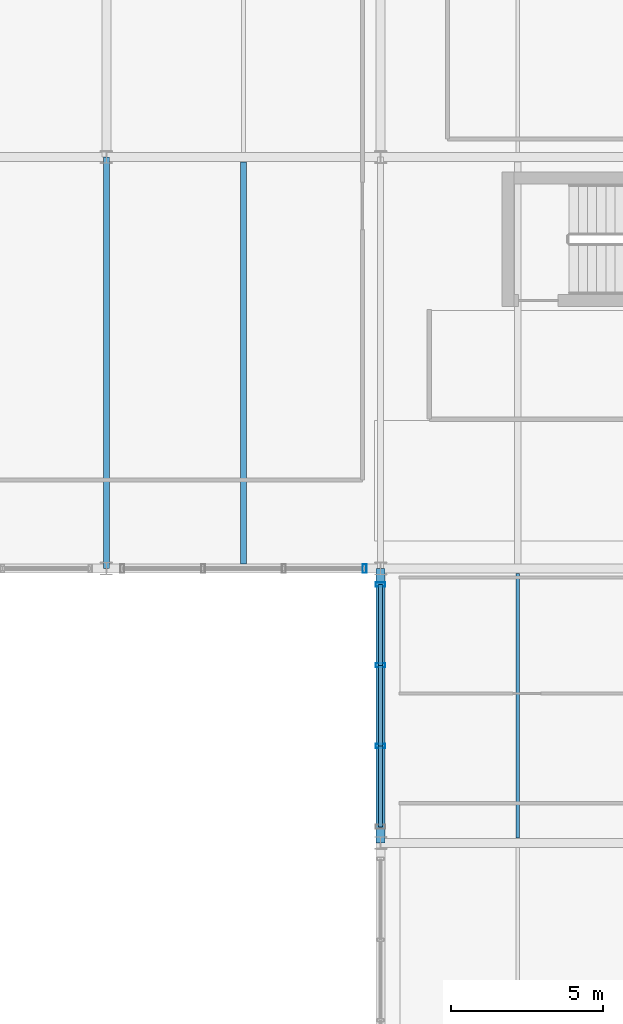
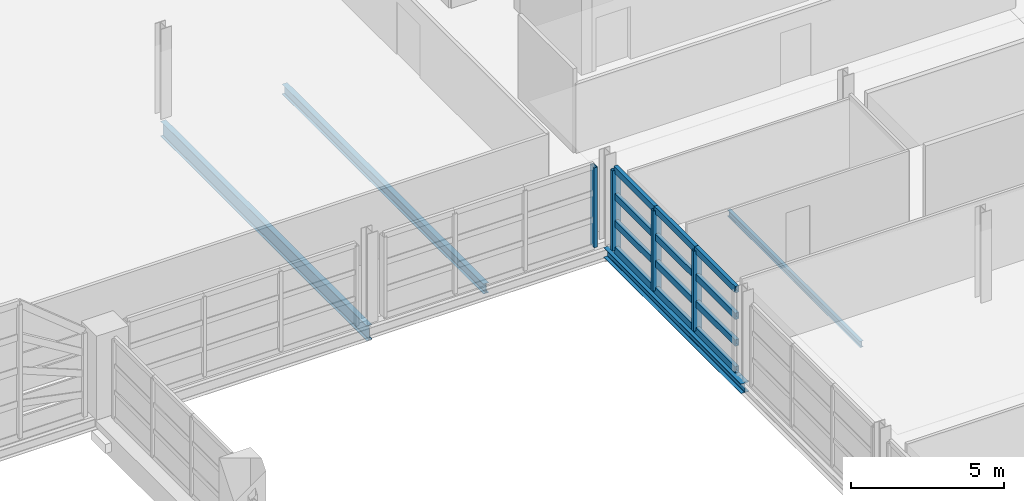
# One storey, part 75 of 116: 16 members, 4 beams, 2 elements without a shape of their own.
"""IFC4 building model written with IfcOpenShell, lengths in metres."""

from ifc_helpers import new_model, si_unit, direction, frame, origin, origin_2d, place, context, subcontext, project, spatial, hollow_rectangle, i_section, extrude, material, material_profile, profile_set, type_object, element, aggregate, save


model = new_model("IFC4")

# Units and contexts
model_context = context("Model", 3, precision=1e-05, world=origin(), true_north=direction((0.0, 1.0)))
body_context = subcontext(model_context, "Body", "Model", "MODEL_VIEW")
ifc_project = project(units=[si_unit("LENGTHUNIT", "METRE"), si_unit("AREAUNIT", "SQUARE_METRE"), si_unit("VOLUMEUNIT", "CUBIC_METRE"), si_unit("PLANEANGLEUNIT", "RADIAN"), si_unit("MASSUNIT", "GRAM", prefix="KILO")], contexts=[model_context])

# Site, building, storey
site_placement = place(None, origin())
site = spatial("IfcSite", under=ifc_project, at=site_placement, CompositionType="ELEMENT")
building_placement = place(site_placement, origin())
building = spatial("IfcBuilding", under=site, at=building_placement, Name="Chuanluo Vaults Station", CompositionType="ELEMENT")
storey_placement = place(building_placement, frame((0.0, 0.0, 10.800048828125)))
storey = spatial("IfcBuildingStorey", under=building, at=storey_placement, Name="L02", CompositionType="ELEMENT", Elevation=10.800048828125)

# Beams
ifc_material_1 = material(Name="Steel Q355C", Category="steel")
ifc_material_profile_1 = material_profile(ifc_material_1, i_section(OverallWidth=0.300048828125, OverallDepth=0.389892578125, WebThickness=0.010009765625, FlangeThickness=0.01611328125, FilletRadius=0.02001953125, at=origin_2d()))
ifc_profile_set_1 = profile_set([ifc_material_profile_1], Name="Steel Q355C")
beam_type_1 = type_object("IfcBeamType", Name="BM-GRD-400", PredefinedType="BEAM", material=ifc_profile_set_1)
beam_1_placement = place(storey_placement, frame((145.0, 94.5, -0.4150390625), z_axis=(0.0, 1.0, 0.0), x_axis=(-1.0, 0.0, 0.0)))
element("IfcBeam", 1, at=beam_1_placement, inside=storey, type_object=beam_type_1, Name="Floor girder BM:GY:L02:0649", PredefinedType="BEAM", context=body_context, shape_type="SweptSolid", body=[
    extrude(i_section(OverallWidth=0.300048828125, OverallDepth=0.389892578125, WebThickness=0.010009765625, FlangeThickness=0.01611328125, FilletRadius=0.02001953125, at=origin_2d()), origin(), (0.0, 0.0, 1.0), 9.0),
])
ifc_material_2 = material(Name="Steel Q355C", Category="steel")
ifc_material_profile_2 = material_profile(ifc_material_2, i_section(OverallWidth=0.199951171875, OverallDepth=0.60009765625, WebThickness=0.010986328125, FlangeThickness=0.01708984375, FilletRadius=0.01806640625, at=origin_2d()))
ifc_profile_set_2 = profile_set([ifc_material_profile_2], Name="Steel Q355C")
beam_type_2 = type_object("IfcBeamType", Name="BM-GRD-600", PredefinedType="USERDEFINED", material=ifc_profile_set_2)
beam_2_placement = place(storey_placement, frame((136.0, 103.5, -0.52001953125), z_axis=(0.0, 1.0, 0.0), x_axis=(-1.0, 0.0, 0.0)))
element("IfcBeam", 2, at=beam_2_placement, inside=storey, type_object=beam_type_2, Name="Floor girder BM:GY:L02:0639", ObjectType="GIRDER", PredefinedType="USERDEFINED", context=body_context, shape_type="SweptSolid", body=[
    extrude(i_section(OverallWidth=0.199951171875, OverallDepth=0.60009765625, WebThickness=0.010986328125, FlangeThickness=0.01708984375, FilletRadius=0.01806640625, at=origin_2d()), origin(), (0.0, 0.0, 1.0), 13.5),
])
ifc_material_3 = material(Name="Steel Q355C", Category="steel")
ifc_material_profile_3 = material_profile(ifc_material_3, i_section(OverallWidth=0.125, OverallDepth=0.25, WebThickness=0.006103515625, FlangeThickness=0.009033203125, FilletRadius=0.011962890625, at=origin_2d()))
ifc_profile_set_3 = profile_set([ifc_material_profile_3], Name="Steel Q355C")
beam_type_3 = type_object("IfcBeamType", Name="BM-SEC-250", PredefinedType="JOIST", material=ifc_profile_set_3)
beam_3_placement = place(storey_placement, frame((149.5, 94.655029296875, -0.344970703125), z_axis=(0.0, 1.0, 0.0), x_axis=(-1.0, 0.0, 0.0)))
element("IfcBeam", 3, at=beam_3_placement, inside=storey, type_object=beam_type_3, Name="Composite secondary joist 0206", PredefinedType="JOIST", context=body_context, shape_type="SweptSolid", body=[
    extrude(i_section(OverallWidth=0.125, OverallDepth=0.25, WebThickness=0.006103515625, FlangeThickness=0.009033203125, FilletRadius=0.011962890625, at=origin_2d()), origin(), (0.0, 0.0, 1.0), 8.68994140625),
])
ifc_material_4 = material(Name="Steel Q355C", Category="steel")
ifc_material_profile_4 = material_profile(ifc_material_4, i_section(OverallWidth=0.199951171875, OverallDepth=0.39990234375, WebThickness=0.008056640625, FlangeThickness=0.012939453125, FilletRadius=0.01611328125, at=origin_2d()))
ifc_profile_set_4 = profile_set([ifc_material_profile_4], Name="Steel Q355C")
beam_type_4 = type_object("IfcBeamType", Name="BM-SEC-400", PredefinedType="BEAM", material=ifc_profile_set_4)
beam_4_placement = place(storey_placement, frame((140.5, 103.655029296875, -0.420166015625), z_axis=(0.0, 1.0, 0.0), x_axis=(-1.0, 0.0, 0.0)))
element("IfcBeam", 4, at=beam_4_placement, inside=storey, type_object=beam_type_4, Name="Composite secondary joist 0197", PredefinedType="BEAM", context=body_context, shape_type="SweptSolid", body=[
    extrude(i_section(OverallWidth=0.199951171875, OverallDepth=0.39990234375, WebThickness=0.008056640625, FlangeThickness=0.012939453125, FilletRadius=0.01611328125, at=origin_2d()), origin(), (0.0, 0.0, 1.0), 13.18994140625),
])

# Curtain wall, member
ifc_material_5 = material(Name="Anodised aluminium 6063-T6", Category="aluminium")
curtain_wall_type_1 = type_object("IfcCurtainWallType", Name="CW-SYS-06", PredefinedType="NOTDEFINED", material=ifc_material_5)
curtain_wall_1_placement = place(storey_placement, origin())
curtain_wall_1 = element("IfcCurtainWall", 5, at=curtain_wall_1_placement, inside=storey, type_object=curtain_wall_type_1, Name="Operations L02 facade CW part 1", PredefinedType="NOTDEFINED")
ifc_material_6 = material(Name="Anodised aluminium 6063-T6", Category="aluminium")
ifc_material_profile_5 = material_profile(ifc_material_6, hollow_rectangle(XDim=0.1298828125, YDim=0.280029296875, WallThickness=0.007080078125, at=origin_2d()))
ifc_profile_set_5 = profile_set([ifc_material_profile_5], Name="Anodised aluminium 6063-T6")
member_type_1 = type_object("IfcMemberType", Name="CWM-180", PredefinedType="MULLION", material=ifc_profile_set_5)
member_1_placement = place(storey_placement, frame((144.47509765625, 103.5, 0.0), z_axis=(0.0, 0.0, 1.0), x_axis=(-1.0, 0.0, 0.0)))
member_1 = element("IfcMember", 6, at=member_1_placement, type_object=member_type_1, Name="Operations L02 facade CW part 1 mullion 1", PredefinedType="MULLION", context=body_context, shape_type="SweptSolid", body=[
    extrude(hollow_rectangle(XDim=0.1298828125, YDim=0.280029296875, WallThickness=0.007080078125, at=origin_2d()), origin(), (0.0, 0.0, 1.0), 3.199951171875),
])
aggregate(curtain_wall_1, [member_1])

# Curtain wall, members
ifc_material_7 = material(Name="Anodised aluminium 6063-T6", Category="aluminium")
curtain_wall_type_2 = type_object("IfcCurtainWallType", Name="CW-SYS-05", PredefinedType="NOTDEFINED", material=ifc_material_7)
curtain_wall_2_placement = place(storey_placement, origin())
curtain_wall_2 = element("IfcCurtainWall", 7, at=curtain_wall_2_placement, inside=storey, type_object=curtain_wall_type_2, Name="Operations L02 facade CW", PredefinedType="NOTDEFINED")
ifc_material_8 = material(Name="Anodised aluminium 6063-T6", Category="aluminium")
ifc_material_profile_6 = material_profile(ifc_material_8, hollow_rectangle(XDim=0.139892578125, YDim=0.320068359375, WallThickness=0.008056640625, at=origin_2d()))
ifc_profile_set_6 = profile_set([ifc_material_profile_6], Name="Anodised aluminium 6063-T6")
member_type_2 = type_object("IfcMemberType", Name="CWM-220", PredefinedType="MULLION", material=ifc_profile_set_6)
member_2_placement = place(storey_placement, frame((145.0, 97.675048828125, 0.0), z_axis=(0.0, 0.0, 1.0), x_axis=(0.0, 1.0, 0.0)))
member_2 = element("IfcMember", 8, at=member_2_placement, type_object=member_type_2, Name="Operations L02 facade CW mullion 2", PredefinedType="MULLION", context=body_context, shape_type="SweptSolid", body=[
    extrude(hollow_rectangle(XDim=0.139892578125, YDim=0.320068359375, WallThickness=0.008056640625, at=origin_2d()), origin(), (0.0, 0.0, 1.0), 3.199951171875),
])
member_3_placement = place(storey_placement, frame((145.0, 100.324951171875, 0.0), z_axis=(0.0, 0.0, 1.0), x_axis=(0.0, 1.0, 0.0)))
member_3 = element("IfcMember", 9, at=member_3_placement, type_object=member_type_2, Name="Operations L02 facade CW mullion 3", PredefinedType="MULLION", context=body_context, shape_type="SweptSolid", body=[
    extrude(hollow_rectangle(XDim=0.139892578125, YDim=0.320068359375, WallThickness=0.008056640625, at=origin_2d()), origin(), (0.0, 0.0, 1.0), 3.199951171875),
])
member_4_placement = place(storey_placement, frame((145.0, 102.97509765625, 0.0), z_axis=(0.0, 0.0, 1.0), x_axis=(0.0, 1.0, 0.0)))
member_4 = element("IfcMember", 10, at=member_4_placement, type_object=member_type_2, Name="Operations L02 facade CW mullion 4", PredefinedType="MULLION", context=body_context, shape_type="SweptSolid", body=[
    extrude(hollow_rectangle(XDim=0.139892578125, YDim=0.320068359375, WallThickness=0.008056640625, at=origin_2d()), origin(), (0.0, 0.0, 1.0), 3.199951171875),
])
ifc_material_9 = material(Name="Anodised aluminium 6063-T6", Category="aluminium")
ifc_material_profile_7 = material_profile(ifc_material_9, hollow_rectangle(XDim=0.139892578125, YDim=0.260009765625, WallThickness=0.007080078125, at=origin_2d()))
ifc_profile_set_7 = profile_set([ifc_material_profile_7], Name="Anodised aluminium 6063-T6")
member_type_3 = type_object("IfcMemberType", Name="CWT-180", PredefinedType="USERDEFINED", material=ifc_profile_set_7)
member_5_placement = place(storey_placement, frame((145.0, 95.02490234375, 0.0), z_axis=(0.0, 1.0, 0.0), x_axis=(-1.0, 0.0, 0.0)))
member_5 = element("IfcMember", 11, at=member_5_placement, type_object=member_type_3, Name="Operations L02 facade CW transom 1.1", ObjectType="TRANSOM", PredefinedType="USERDEFINED", context=body_context, shape_type="SweptSolid", body=[
    extrude(hollow_rectangle(XDim=0.139892578125, YDim=0.260009765625, WallThickness=0.007080078125, at=origin_2d()), origin(), (0.0, 0.0, 1.0), 2.650146484375),
])
member_6_placement = place(storey_placement, frame((145.0, 95.02490234375, 1.066650390625), z_axis=(0.0, 1.0, 0.0), x_axis=(-1.0, 0.0, 0.0)))
member_6 = element("IfcMember", 12, at=member_6_placement, type_object=member_type_3, Name="Operations L02 facade CW transom 1.2", ObjectType="TRANSOM", PredefinedType="USERDEFINED", context=body_context, shape_type="SweptSolid", body=[
    extrude(hollow_rectangle(XDim=0.139892578125, YDim=0.260009765625, WallThickness=0.007080078125, at=origin_2d()), origin(), (0.0, 0.0, 1.0), 2.650146484375),
])
member_7_placement = place(storey_placement, frame((145.0, 95.02490234375, 2.13330078125), z_axis=(0.0, 1.0, 0.0), x_axis=(-1.0, 0.0, 0.0)))
member_7 = element("IfcMember", 13, at=member_7_placement, type_object=member_type_3, Name="Operations L02 facade CW transom 1.3", ObjectType="TRANSOM", PredefinedType="USERDEFINED", context=body_context, shape_type="SweptSolid", body=[
    extrude(hollow_rectangle(XDim=0.139892578125, YDim=0.260009765625, WallThickness=0.007080078125, at=origin_2d()), origin(), (0.0, 0.0, 1.0), 2.650146484375),
])
member_8_placement = place(storey_placement, frame((145.0, 95.02490234375, 3.199951171875), z_axis=(0.0, 1.0, 0.0), x_axis=(-1.0, 0.0, 0.0)))
member_8 = element("IfcMember", 14, at=member_8_placement, type_object=member_type_3, Name="Operations L02 facade CW transom 1.4", ObjectType="TRANSOM", PredefinedType="USERDEFINED", context=body_context, shape_type="SweptSolid", body=[
    extrude(hollow_rectangle(XDim=0.139892578125, YDim=0.260009765625, WallThickness=0.007080078125, at=origin_2d()), origin(), (0.0, 0.0, 1.0), 2.650146484375),
])
member_9_placement = place(storey_placement, frame((145.0, 97.675048828125, 0.0), z_axis=(0.0, 1.0, 0.0), x_axis=(-1.0, 0.0, 0.0)))
member_9 = element("IfcMember", 15, at=member_9_placement, type_object=member_type_3, Name="Operations L02 facade CW transom 2.1", ObjectType="TRANSOM", PredefinedType="USERDEFINED", context=body_context, shape_type="SweptSolid", body=[
    extrude(hollow_rectangle(XDim=0.139892578125, YDim=0.260009765625, WallThickness=0.007080078125, at=origin_2d()), origin(), (0.0, 0.0, 1.0), 2.64990234375),
])
member_10_placement = place(storey_placement, frame((145.0, 97.675048828125, 1.066650390625), z_axis=(0.0, 1.0, 0.0), x_axis=(-1.0, 0.0, 0.0)))
member_10 = element("IfcMember", 16, at=member_10_placement, type_object=member_type_3, Name="Operations L02 facade CW transom 2.2", ObjectType="TRANSOM", PredefinedType="USERDEFINED", context=body_context, shape_type="SweptSolid", body=[
    extrude(hollow_rectangle(XDim=0.139892578125, YDim=0.260009765625, WallThickness=0.007080078125, at=origin_2d()), origin(), (0.0, 0.0, 1.0), 2.64990234375),
])
member_11_placement = place(storey_placement, frame((145.0, 97.675048828125, 2.13330078125), z_axis=(0.0, 1.0, 0.0), x_axis=(-1.0, 0.0, 0.0)))
member_11 = element("IfcMember", 17, at=member_11_placement, type_object=member_type_3, Name="Operations L02 facade CW transom 2.3", ObjectType="TRANSOM", PredefinedType="USERDEFINED", context=body_context, shape_type="SweptSolid", body=[
    extrude(hollow_rectangle(XDim=0.139892578125, YDim=0.260009765625, WallThickness=0.007080078125, at=origin_2d()), origin(), (0.0, 0.0, 1.0), 2.64990234375),
])
member_12_placement = place(storey_placement, frame((145.0, 97.675048828125, 3.199951171875), z_axis=(0.0, 1.0, 0.0), x_axis=(-1.0, 0.0, 0.0)))
member_12 = element("IfcMember", 18, at=member_12_placement, type_object=member_type_3, Name="Operations L02 facade CW transom 2.4", ObjectType="TRANSOM", PredefinedType="USERDEFINED", context=body_context, shape_type="SweptSolid", body=[
    extrude(hollow_rectangle(XDim=0.139892578125, YDim=0.260009765625, WallThickness=0.007080078125, at=origin_2d()), origin(), (0.0, 0.0, 1.0), 2.64990234375),
])
member_13_placement = place(storey_placement, frame((145.0, 100.324951171875, 0.0), z_axis=(0.0, 1.0, 0.0), x_axis=(-1.0, 0.0, 0.0)))
member_13 = element("IfcMember", 19, at=member_13_placement, type_object=member_type_3, Name="Operations L02 facade CW transom 3.1", ObjectType="TRANSOM", PredefinedType="USERDEFINED", context=body_context, shape_type="SweptSolid", body=[
    extrude(hollow_rectangle(XDim=0.139892578125, YDim=0.260009765625, WallThickness=0.007080078125, at=origin_2d()), origin(), (0.0, 0.0, 1.0), 2.650146484375),
])
member_14_placement = place(storey_placement, frame((145.0, 100.324951171875, 1.066650390625), z_axis=(0.0, 1.0, 0.0), x_axis=(-1.0, 0.0, 0.0)))
member_14 = element("IfcMember", 20, at=member_14_placement, type_object=member_type_3, Name="Operations L02 facade CW transom 3.2", ObjectType="TRANSOM", PredefinedType="USERDEFINED", context=body_context, shape_type="SweptSolid", body=[
    extrude(hollow_rectangle(XDim=0.139892578125, YDim=0.260009765625, WallThickness=0.007080078125, at=origin_2d()), origin(), (0.0, 0.0, 1.0), 2.650146484375),
])
member_15_placement = place(storey_placement, frame((145.0, 100.324951171875, 2.13330078125), z_axis=(0.0, 1.0, 0.0), x_axis=(-1.0, 0.0, 0.0)))
member_15 = element("IfcMember", 21, at=member_15_placement, type_object=member_type_3, Name="Operations L02 facade CW transom 3.3", ObjectType="TRANSOM", PredefinedType="USERDEFINED", context=body_context, shape_type="SweptSolid", body=[
    extrude(hollow_rectangle(XDim=0.139892578125, YDim=0.260009765625, WallThickness=0.007080078125, at=origin_2d()), origin(), (0.0, 0.0, 1.0), 2.650146484375),
])
member_16_placement = place(storey_placement, frame((145.0, 100.324951171875, 3.199951171875), z_axis=(0.0, 1.0, 0.0), x_axis=(-1.0, 0.0, 0.0)))
member_16 = element("IfcMember", 22, at=member_16_placement, type_object=member_type_3, Name="Operations L02 facade CW transom 3.4", ObjectType="TRANSOM", PredefinedType="USERDEFINED", context=body_context, shape_type="SweptSolid", body=[
    extrude(hollow_rectangle(XDim=0.139892578125, YDim=0.260009765625, WallThickness=0.007080078125, at=origin_2d()), origin(), (0.0, 0.0, 1.0), 2.650146484375),
])
aggregate(curtain_wall_2, [member_2, member_3, member_4, member_5, member_6, member_7, member_8, member_9, member_10, member_11, member_12, member_13, member_14, member_15, member_16])

save(model, "model.ifc")
